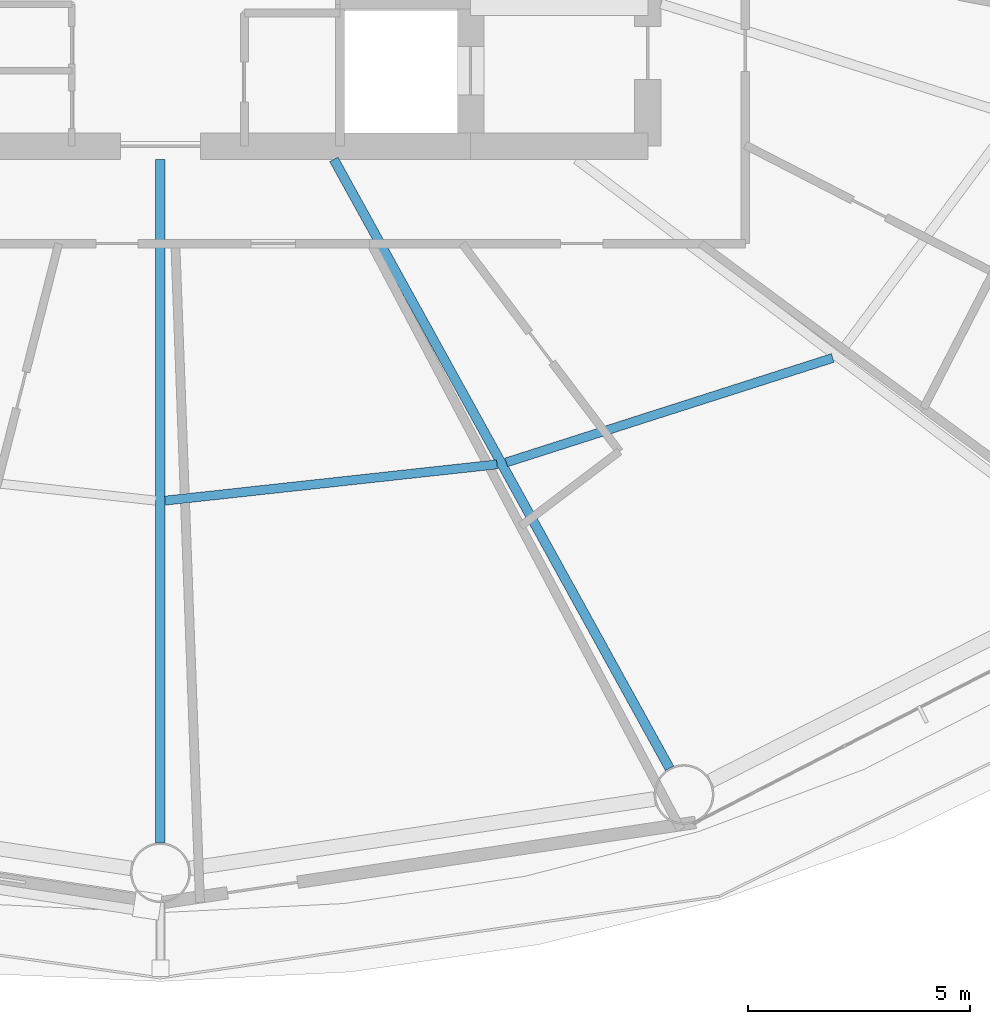
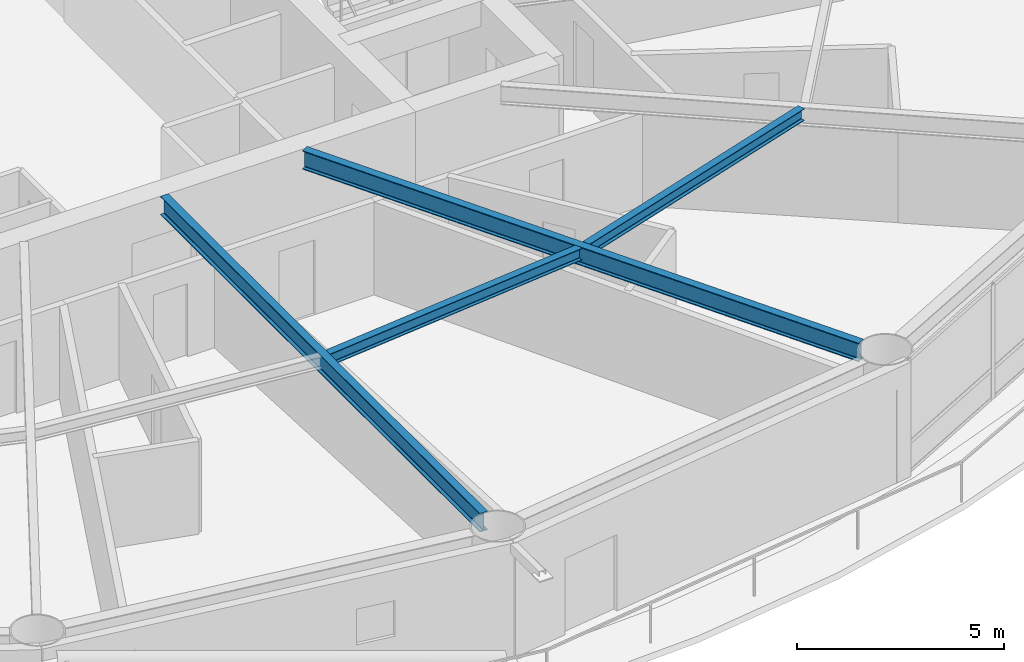
# One storey, part 7 of 26: 4 beams.
"""IFC4 building model written with IfcOpenShell, lengths in metres."""

from ifc_helpers import new_model, si_unit, direction, frame, origin, origin_2d, place, context, subcontext, project, spatial, i_section, extrude, material, material_profile, profile_set, type_object, element, save


model = new_model("IFC4")

# Units and contexts
model_context = context("Model", 3, precision=1e-05, world=origin(), true_north=direction((0.0, 1.0)))
body_context = subcontext(model_context, "Body", "Model", "MODEL_VIEW")
ifc_project = project(units=[si_unit("LENGTHUNIT", "METRE"), si_unit("AREAUNIT", "SQUARE_METRE"), si_unit("VOLUMEUNIT", "CUBIC_METRE"), si_unit("PLANEANGLEUNIT", "RADIAN"), si_unit("MASSUNIT", "GRAM", prefix="KILO")], contexts=[model_context])

# Site, building, storey
site_placement = place(None, origin())
site = spatial("IfcSite", under=ifc_project, at=site_placement, CompositionType="ELEMENT")
building_placement = place(site_placement, origin())
building = spatial("IfcBuilding", under=site, at=building_placement, Name="Sarneth Arch Tower", CompositionType="ELEMENT")
storey_placement = place(building_placement, frame((0.0, 0.0, 42.60009765625)))
storey = spatial("IfcBuildingStorey", under=building, at=storey_placement, Name="L09", CompositionType="ELEMENT", Elevation=42.60009765625)

# Beams
ifc_material_1 = material(Name="Steel S355", Category="steel")
ifc_material_profile_1 = material_profile(ifc_material_1, i_section(OverallWidth=0.2041015625, OverallDepth=0.35009765625, WebThickness=0.008544921875, FlangeThickness=0.01513671875, FilletRadius=0.014892578125, at=origin_2d()), Name="W360x72")
ifc_profile_set_1 = profile_set([ifc_material_profile_1], Name="Steel S355")
beam_type_1 = type_object("IfcBeamType", Name="BM-JOIST-360D", PredefinedType="JOIST", material=ifc_profile_set_1)
beam_1_placement = place(storey_placement, frame((48.1064453125, 27.19921875, 3.204833984375), z_axis=(0.994095251924, 0.108510967657, 0.0), x_axis=(-0.108510967657, 0.994095251924, 0.0)))
element("IfcBeam", 1, at=beam_1_placement, inside=storey, type_object=beam_type_1, Name="L09 Secondary floor joist 13", PredefinedType="JOIST", context=body_context, shape_type="SweptSolid", body=[
    extrude(i_section(OverallWidth=0.2041015625, OverallDepth=0.35009765625, WebThickness=0.008544921875, FlangeThickness=0.01513671875, FilletRadius=0.014892578125, at=origin_2d()), origin(), (0.0, 0.0, 1.0), 7.534912109375),
])
beam_2_placement = place(storey_placement, frame((55.80517578125, 28.061279296875, 3.204833984375), z_axis=(0.952436240143, 0.304737934073, 0.0), x_axis=(-0.304737934073, 0.952436240143, 0.0)))
element("IfcBeam", 2, at=beam_2_placement, inside=storey, type_object=beam_type_1, Name="L09 Secondary floor joist 14", PredefinedType="JOIST", context=body_context, shape_type="SweptSolid", body=[
    extrude(i_section(OverallWidth=0.2041015625, OverallDepth=0.35009765625, WebThickness=0.008544921875, FlangeThickness=0.01513671875, FilletRadius=0.014892578125, at=origin_2d()), origin(), (0.0, 0.0, 1.0), 7.735107421875),
])
ifc_material_2 = material(Name="Steel S355", Category="steel")
ifc_material_profile_2 = material_profile(ifc_material_2, i_section(OverallWidth=0.214111328125, OverallDepth=0.549072265625, WebThickness=0.0146484375, FlangeThickness=0.023681640625, FilletRadius=0.01806640625, at=origin_2d()), Name="W530x138")
ifc_profile_set_2 = profile_set([ifc_material_profile_2], Name="Steel S355")
beam_type_2 = type_object("IfcBeamType", Name="BM-RAD-530A", PredefinedType="BEAM", material=ifc_profile_set_2)
beam_3_placement = place(storey_placement, frame((48.0, 34.89990234375, 3.10546875), z_axis=(0.0, -1.0, 0.0), x_axis=(1.0, 0.0, 0.0)))
element("IfcBeam", 3, at=beam_3_placement, inside=storey, type_object=beam_type_2, Name="L09 Radial floor girder 13", PredefinedType="BEAM", context=body_context, shape_type="SweptSolid", body=[
    extrude(i_section(OverallWidth=0.214111328125, OverallDepth=0.549072265625, WebThickness=0.0146484375, FlangeThickness=0.023681640625, FilletRadius=0.01806640625, at=origin_2d()), origin(), (0.0, 0.0, 1.0), 15.4248046875),
])
beam_4_placement = place(storey_placement, frame((51.91455078125, 34.89990234375, 3.10546875), z_axis=(0.482837562311, -0.875709933952, 0.0), x_axis=(0.875709933952, 0.482837562311, 0.0)))
element("IfcBeam", 4, at=beam_4_placement, inside=storey, type_object=beam_type_2, Name="L09 Radial floor girder 14", PredefinedType="BEAM", context=body_context, shape_type="SweptSolid", body=[
    extrude(i_section(OverallWidth=0.214111328125, OverallDepth=0.549072265625, WebThickness=0.0146484375, FlangeThickness=0.023681640625, FilletRadius=0.01806640625, at=origin_2d()), origin(), (0.0, 0.0, 1.0), 15.693359375),
])

save(model, "model.ifc")
